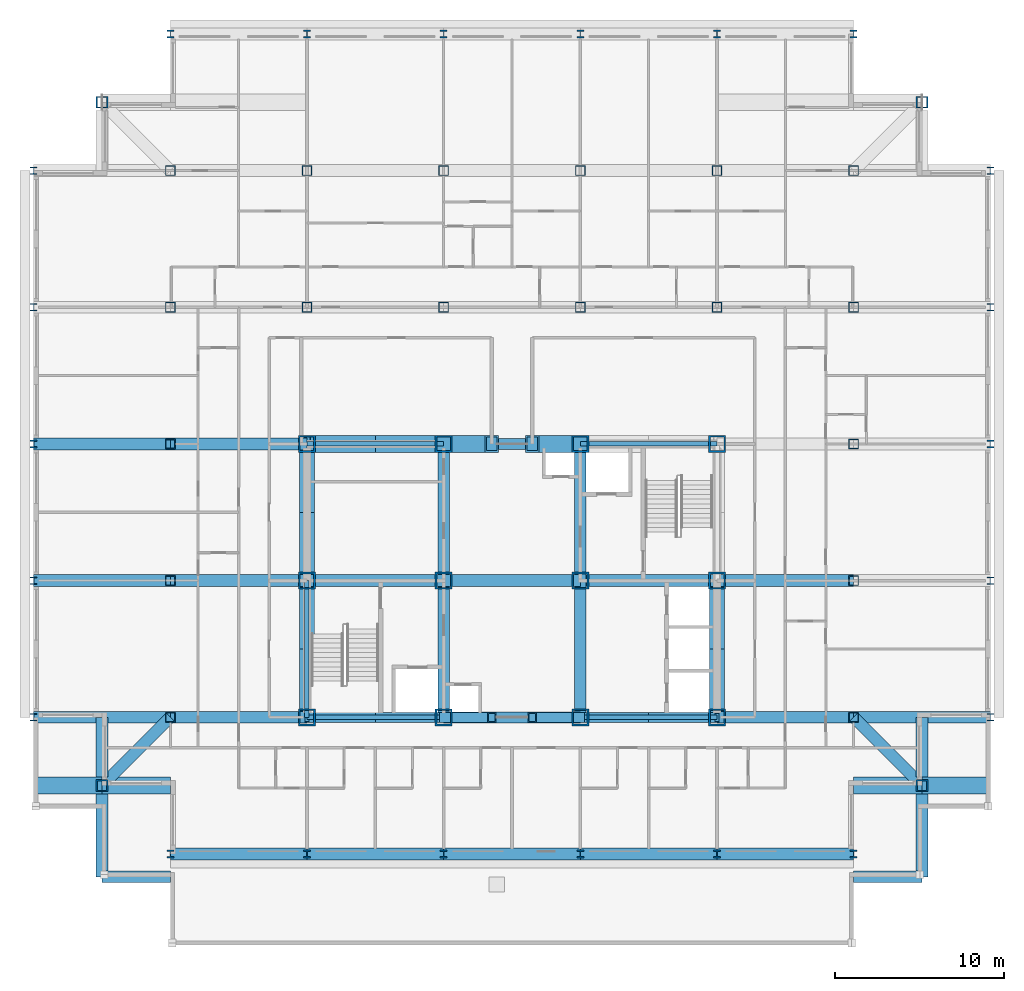
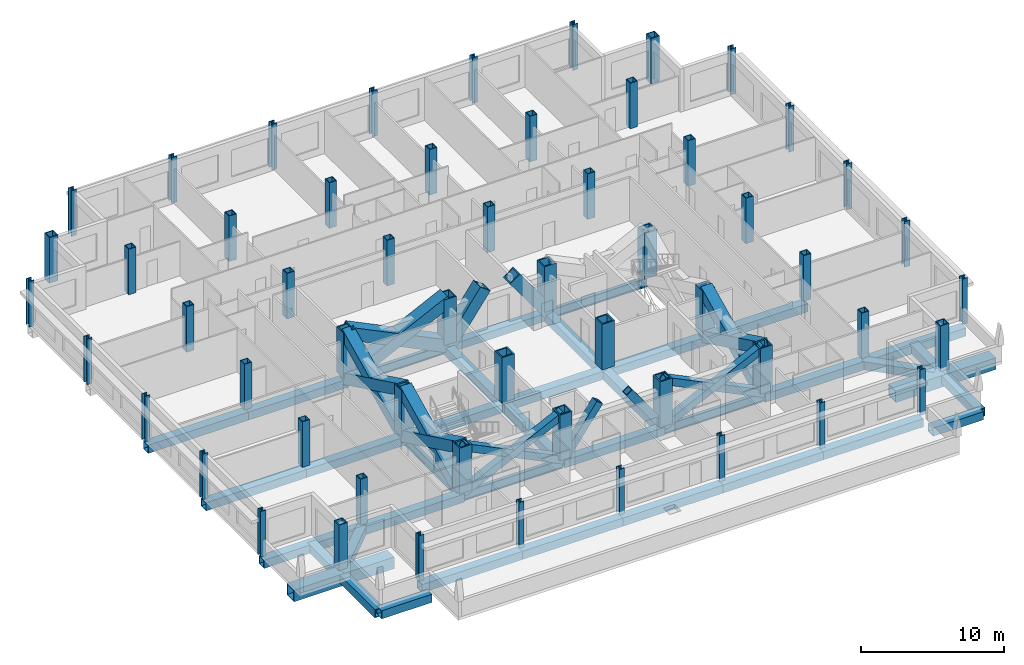
# One storey, part 1 of 15: 56 columns, 40 beams, 16 members.
"""IFC4 building model written with IfcOpenShell, lengths in metres."""

from ifc_helpers import new_model, si_unit, direction, frame, origin, origin_2d, place, context, subcontext, project, spatial, hollow_rectangle, i_section, extrude, material, material_profile, profile_set, type_object, element, save


model = new_model("IFC4")

# Units and contexts
model_context = context("Model", 3, precision=1e-05, world=origin(), true_north=direction((0.0, 1.0)))
body_context = subcontext(model_context, "Body", "Model", "MODEL_VIEW")
ifc_project = project(units=[si_unit("LENGTHUNIT", "METRE"), si_unit("AREAUNIT", "SQUARE_METRE"), si_unit("VOLUMEUNIT", "CUBIC_METRE"), si_unit("PLANEANGLEUNIT", "RADIAN"), si_unit("MASSUNIT", "GRAM", prefix="KILO")], contexts=[model_context])

# Site, building, storey
site_placement = place(None, origin())
site = spatial("IfcSite", under=ifc_project, at=site_placement, CompositionType="ELEMENT")
building_placement = place(site_placement, origin())
building = spatial("IfcBuilding", under=site, at=building_placement, Name="Kopane Lantern Tower", CompositionType="ELEMENT")
storey_placement = place(building_placement, frame((0.0, 0.0, 242.39990234375)))
storey = spatial("IfcBuildingStorey", under=building, at=storey_placement, Name="L62", CompositionType="ELEMENT", Elevation=242.39990234375)

# Columns
ifc_material_1 = material(Name="Steel S355JR", Category="steel")
ifc_material_profile_1 = material_profile(ifc_material_1, hollow_rectangle(XDim=1.0, YDim=1.0, WallThickness=0.10009765625, at=origin_2d()), Name="BOX 1000x1000x100")
ifc_profile_set_1 = profile_set([ifc_material_profile_1], Name="Steel S355JR")
column_type_1 = type_object("IfcColumnType", Name="COLUMN BOX 1000x1000x100", PredefinedType="COLUMN", material=ifc_profile_set_1)
for number, where, z_axis, x_axis, name in (
    (1, (16.199951171875, 24.300048828125, 0.0), (0.0, 0.0, 1.0), (1.0, 0.0, 0.0), "Column 4/E L62"),
    (2, (16.199951171875, 32.39990234375, 0.0), (0.0, 0.0, 1.0), (1.0, 0.0, 0.0), "Column 4/F L62"),
    (3, (16.199951171875, 40.5, 0.0), (0.0, 0.0, 1.0), (1.0, 0.0, 0.0), "Column 4/G L62"),
    (4, (24.300048828125, 24.300048828125, 0.0), (0.0, 0.0, 1.0), (1.0, 0.0, 0.0), "Column 5/E L62"),
    (5, (24.300048828125, 32.39990234375, 0.0), (0.0, 0.0, 1.0), (1.0, 0.0, 0.0), "Column 5/F L62"),
    (6, (24.300048828125, 40.5, 0.0), (0.0, 0.0, 1.0), (1.0, 0.0, 0.0), "Column 5/G L62"),
    (7, (32.39990234375, 24.300048828125, 0.0), (0.0, 0.0, 1.0), (1.0, 0.0, 0.0), "Column 6/E L62"),
    (8, (32.39990234375, 32.39990234375, 0.0), (0.0, 0.0, 1.0), (1.0, 0.0, 0.0), "Column 6/F L62"),
    (9, (32.39990234375, 40.5, 0.0), (0.0, 0.0, 1.0), (1.0, 0.0, 0.0), "Column 6/G L62"),
    (10, (40.5, 24.300048828125, 0.0), (0.0, 0.0, 1.0), (1.0, 0.0, 0.0), "Column 7/E L62"),
    (11, (40.5, 32.39990234375, 0.0), (0.0, 0.0, 1.0), (1.0, 0.0, 0.0), "Column 7/F L62"),
    (12, (40.5, 40.5, 0.0), (0.0, 0.0, 1.0), (1.0, 0.0, 0.0), "Column 7/G L62"),
):
    element("IfcColumn", number, at=place(storey_placement, frame(where, z_axis=z_axis, x_axis=x_axis)), inside=storey, type_object=column_type_1, Name=name, PredefinedType="COLUMN", context=body_context, shape_type="SweptSolid", body=[
        extrude(hollow_rectangle(XDim=1.0, YDim=1.0, WallThickness=0.10009765625, at=origin_2d()), origin(), (0.0, 0.0, 1.0), 3.900146484375),
    ])
ifc_material_2 = material(Name="Steel S355JR", Category="steel")
ifc_material_profile_2 = material_profile(ifc_material_2, hollow_rectangle(XDim=0.60009765625, YDim=0.60009765625, WallThickness=0.050048828125, at=origin_2d()), Name="BOX 600x600x50")
ifc_profile_set_2 = profile_set([ifc_material_profile_2], Name="Steel S355JR")
column_type_2 = type_object("IfcColumnType", Name="COLUMN BOX 600x600x50", PredefinedType="COLUMN", material=ifc_profile_set_2)
for number, where, z_axis, x_axis, name in (
    (13, (8.10009765625, 24.300048828125, 0.0), (0.0, 0.0, 1.0), (1.0, 0.0, 0.0), "Column 3/E L62"),
    (14, (8.10009765625, 32.39990234375, 0.0), (0.0, 0.0, 1.0), (1.0, 0.0, 0.0), "Column 3/F L62"),
    (15, (8.10009765625, 40.5, 0.0), (0.0, 0.0, 1.0), (1.0, 0.0, 0.0), "Column 3/G L62"),
    (16, (8.10009765625, 48.60009765625, 0.0), (0.0, 0.0, 1.0), (1.0, 0.0, 0.0), "Column 3/H L62"),
    (17, (8.10009765625, 56.699951171875, 0.0), (0.0, 0.0, 1.0), (1.0, 0.0, 0.0), "Column 3/J L62"),
    (18, (16.199951171875, 48.60009765625, 0.0), (0.0, 0.0, 1.0), (1.0, 0.0, 0.0), "Column 4/H L62"),
    (19, (16.199951171875, 56.699951171875, 0.0), (0.0, 0.0, 1.0), (1.0, 0.0, 0.0), "Column 4/J L62"),
    (20, (24.300048828125, 48.60009765625, 0.0), (0.0, 0.0, 1.0), (1.0, 0.0, 0.0), "Column 5/H L62"),
    (21, (24.300048828125, 56.699951171875, 0.0), (0.0, 0.0, 1.0), (1.0, 0.0, 0.0), "Column 5/J L62"),
    (22, (32.39990234375, 48.60009765625, 0.0), (0.0, 0.0, 1.0), (1.0, 0.0, 0.0), "Column 6/H L62"),
    (23, (32.39990234375, 56.699951171875, 0.0), (0.0, 0.0, 1.0), (1.0, 0.0, 0.0), "Column 6/J L62"),
    (24, (40.5, 48.60009765625, 0.0), (0.0, 0.0, 1.0), (1.0, 0.0, 0.0), "Column 7/H L62"),
    (25, (40.5, 56.699951171875, 0.0), (0.0, 0.0, 1.0), (1.0, 0.0, 0.0), "Column 7/J L62"),
    (26, (48.60009765625, 24.300048828125, 0.0), (0.0, 0.0, 1.0), (1.0, 0.0, 0.0), "Column 8/E L62"),
    (27, (48.60009765625, 32.39990234375, 0.0), (0.0, 0.0, 1.0), (1.0, 0.0, 0.0), "Column 8/F L62"),
    (28, (48.60009765625, 40.5, 0.0), (0.0, 0.0, 1.0), (1.0, 0.0, 0.0), "Column 8/G L62"),
    (29, (48.60009765625, 48.60009765625, 0.0), (0.0, 0.0, 1.0), (1.0, 0.0, 0.0), "Column 8/H L62"),
    (30, (48.60009765625, 56.699951171875, 0.0), (0.0, 0.0, 1.0), (1.0, 0.0, 0.0), "Column 8/J L62"),
):
    element("IfcColumn", number, at=place(storey_placement, frame(where, z_axis=z_axis, x_axis=x_axis)), inside=storey, type_object=column_type_2, Name=name, PredefinedType="COLUMN", context=body_context, shape_type="SweptSolid", body=[
        extrude(hollow_rectangle(XDim=0.60009765625, YDim=0.60009765625, WallThickness=0.050048828125, at=origin_2d()), origin(), (0.0, 0.0, 1.0), 3.900146484375),
    ])
ifc_material_3 = material(Name="Steel S355JR", Category="steel")
ifc_material_profile_3 = material_profile(ifc_material_3, hollow_rectangle(XDim=0.699951171875, YDim=0.699951171875, WallThickness=0.070068359375, at=origin_2d()), Name="BOX 700x700x70")
ifc_profile_set_3 = profile_set([ifc_material_profile_3], Name="Steel S355JR")
column_type_3 = type_object("IfcColumnType", Name="COLUMN BOX 700x700x70", PredefinedType="COLUMN", material=ifc_profile_set_3)
for number, where, z_axis, x_axis, name in (
    (31, (4.050048828125, 20.25, 0.0), (0.0, 0.0, 1.0), (1.0, 0.0, 0.0), "Column 4.05/20.25 L62"),
    (32, (4.050048828125, 60.75, 0.0), (0.0, 0.0, 1.0), (1.0, 0.0, 0.0), "Column 4.05/60.75 L62"),
    (33, (52.64990234375, 20.25, 0.0), (0.0, 0.0, 1.0), (1.0, 0.0, 0.0), "Column 52.65/20.25 L62"),
    (34, (52.64990234375, 60.75, 0.0), (0.0, 0.0, 1.0), (1.0, 0.0, 0.0), "Column 52.65/60.75 L62"),
):
    element("IfcColumn", number, at=place(storey_placement, frame(where, z_axis=z_axis, x_axis=x_axis)), inside=storey, type_object=column_type_3, Name=name, PredefinedType="COLUMN", context=body_context, shape_type="SweptSolid", body=[
        extrude(hollow_rectangle(XDim=0.699951171875, YDim=0.699951171875, WallThickness=0.070068359375, at=origin_2d()), origin(), (0.0, 0.0, 1.0), 3.900146484375),
    ])
ifc_material_4 = material(Name="Steel S355JR", Category="steel")
ifc_material_profile_4 = material_profile(ifc_material_4, i_section(OverallWidth=0.41845703125, OverallDepth=0.45556640625, WebThickness=0.0419921875, FlangeThickness=0.0673828125, FilletRadius=0.01513671875, at=origin_2d()), Name="UC 356x406x551")
ifc_profile_set_4 = profile_set([ifc_material_profile_4], Name="Steel S355JR")
column_type_4 = type_object("IfcColumnType", Name="COLUMN UC 356x406x551", PredefinedType="COLUMN", material=ifc_profile_set_4)
for number, where, z_axis, x_axis, name in (
    (35, (0.0, 24.300048828125, 0.0), (0.0, 0.0, 1.0), (1.0, 0.0, 0.0), "Column 2/E L62"),
    (36, (0.0, 32.39990234375, 0.0), (0.0, 0.0, 1.0), (1.0, 0.0, 0.0), "Column 2/F L62"),
    (37, (0.0, 40.5, 0.0), (0.0, 0.0, 1.0), (1.0, 0.0, 0.0), "Column 2/G L62"),
    (38, (0.0, 48.60009765625, 0.0), (0.0, 0.0, 1.0), (1.0, 0.0, 0.0), "Column 2/H L62"),
    (39, (0.0, 56.699951171875, 0.0), (0.0, 0.0, 1.0), (1.0, 0.0, 0.0), "Column 2/J L62"),
    (40, (8.10009765625, 16.199951171875, 0.0), (0.0, 0.0, 1.0), (1.0, 0.0, 0.0), "Column 3/D L62"),
    (41, (8.10009765625, 64.800048828125, 0.0), (0.0, 0.0, 1.0), (1.0, 0.0, 0.0), "Column 3/K L62"),
    (42, (16.199951171875, 16.199951171875, 0.0), (0.0, 0.0, 1.0), (1.0, 0.0, 0.0), "Column 4/D L62"),
    (43, (16.199951171875, 64.800048828125, 0.0), (0.0, 0.0, 1.0), (1.0, 0.0, 0.0), "Column 4/K L62"),
    (44, (24.300048828125, 16.199951171875, 0.0), (0.0, 0.0, 1.0), (1.0, 0.0, 0.0), "Column 5/D L62"),
    (45, (24.300048828125, 64.800048828125, 0.0), (0.0, 0.0, 1.0), (1.0, 0.0, 0.0), "Column 5/K L62"),
    (46, (32.39990234375, 16.199951171875, 0.0), (0.0, 0.0, 1.0), (1.0, 0.0, 0.0), "Column 6/D L62"),
    (47, (32.39990234375, 64.800048828125, 0.0), (0.0, 0.0, 1.0), (1.0, 0.0, 0.0), "Column 6/K L62"),
    (48, (40.5, 16.199951171875, 0.0), (0.0, 0.0, 1.0), (1.0, 0.0, 0.0), "Column 7/D L62"),
    (49, (40.5, 64.800048828125, 0.0), (0.0, 0.0, 1.0), (1.0, 0.0, 0.0), "Column 7/K L62"),
    (50, (48.60009765625, 16.199951171875, 0.0), (0.0, 0.0, 1.0), (1.0, 0.0, 0.0), "Column 8/D L62"),
    (51, (48.60009765625, 64.800048828125, 0.0), (0.0, 0.0, 1.0), (1.0, 0.0, 0.0), "Column 8/K L62"),
    (52, (56.699951171875, 24.300048828125, 0.0), (0.0, 0.0, 1.0), (1.0, 0.0, 0.0), "Column 9/E L62"),
    (53, (56.699951171875, 32.39990234375, 0.0), (0.0, 0.0, 1.0), (1.0, 0.0, 0.0), "Column 9/F L62"),
    (54, (56.699951171875, 40.5, 0.0), (0.0, 0.0, 1.0), (1.0, 0.0, 0.0), "Column 9/G L62"),
    (55, (56.699951171875, 48.60009765625, 0.0), (0.0, 0.0, 1.0), (1.0, 0.0, 0.0), "Column 9/H L62"),
    (56, (56.699951171875, 56.699951171875, 0.0), (0.0, 0.0, 1.0), (1.0, 0.0, 0.0), "Column 9/J L62"),
):
    element("IfcColumn", number, at=place(storey_placement, frame(where, z_axis=z_axis, x_axis=x_axis)), inside=storey, type_object=column_type_4, Name=name, PredefinedType="COLUMN", context=body_context, shape_type="SweptSolid", body=[
        extrude(i_section(OverallWidth=0.41845703125, OverallDepth=0.45556640625, WebThickness=0.0419921875, FlangeThickness=0.0673828125, FilletRadius=0.01513671875, at=origin_2d()), origin(), (0.0, 0.0, 1.0), 3.900146484375),
    ])

# Members
ifc_material_5 = material(Name="Steel S355JR", Category="steel")
ifc_material_profile_5 = material_profile(ifc_material_5, hollow_rectangle(XDim=1.0, YDim=1.0, WallThickness=0.10009765625, at=origin_2d()), Name="BOX 1000x1000x100")
ifc_profile_set_5 = profile_set([ifc_material_profile_5], Name="Steel S355JR")
member_type_1 = type_object("IfcMemberType", Name="BRACE BOX 1000x1000x100", PredefinedType="BRACE", material=ifc_profile_set_5)
for number, where, z_axis, x_axis, name in (
    (57, (16.199951171875, 40.5, -0.25), (0.899252666322, 0.0, 0.43742958532), (0.0, 1.0, 0.0), "Core brace L62"),
    (58, (24.300048828125, 40.5, -0.25), (-0.899252666322, 0.0, 0.43742958532), (0.0, -1.0, 0.0), "Core brace L62"),
):
    element("IfcMember", number, at=place(storey_placement, frame(where, z_axis=z_axis, x_axis=x_axis)), inside=storey, type_object=member_type_1, Name=name, PredefinedType="BRACE", context=body_context, shape_type="SweptSolid", body=[
        extrude(hollow_rectangle(XDim=1.0, YDim=1.0, WallThickness=0.10009765625, at=origin_2d()), origin(), (0.0, 0.0, 1.0), 9.007568359375),
    ])
for number, where, z_axis, x_axis, name in (
    (59, (24.300048828125, 40.5, -0.25), (0.586053166649, 0.0, 0.810272599722), (0.0, 1.0, 0.0), "Core brace L62"),
    (60, (32.39990234375, 40.5, -0.25), (-0.586053166649, 0.0, 0.810272599722), (0.0, -1.0, 0.0), "Core brace L62"),
):
    element("IfcMember", number, at=place(storey_placement, frame(where, z_axis=z_axis, x_axis=x_axis)), inside=storey, type_object=member_type_1, Name=name, PredefinedType="BRACE", context=body_context, shape_type="SweptSolid", body=[
        extrude(hollow_rectangle(XDim=1.0, YDim=1.0, WallThickness=0.10009765625, at=origin_2d()), origin(), (0.0, 0.0, 1.0), 4.86279296875),
    ])
ifc_material_6 = material(Name="Steel S355JR", Category="steel")
ifc_material_profile_6 = material_profile(ifc_material_6, hollow_rectangle(XDim=0.60009765625, YDim=0.60009765625, WallThickness=0.06005859375, at=origin_2d()), Name="BOX 600x600x60")
ifc_profile_set_6 = profile_set([ifc_material_profile_6], Name="Steel S355JR")
member_type_2 = type_object("IfcMemberType", Name="BRACE BOX 600x600x60", PredefinedType="BRACE", material=ifc_profile_set_6)
for number, where, z_axis, x_axis, name in (
    (61, (16.199951171875, 24.300048828125, -0.25), (0.899252666322, 0.0, 0.43742958532), (0.0, 1.0, 0.0), "Core brace L62"),
    (62, (24.300048828125, 24.300048828125, -0.25), (-0.899252666322, 0.0, 0.43742958532), (0.0, -1.0, 0.0), "Core brace L62"),
):
    element("IfcMember", number, at=place(storey_placement, frame(where, z_axis=z_axis, x_axis=x_axis)), inside=storey, type_object=member_type_2, Name=name, PredefinedType="BRACE", context=body_context, shape_type="SweptSolid", body=[
        extrude(hollow_rectangle(XDim=0.60009765625, YDim=0.60009765625, WallThickness=0.06005859375, at=origin_2d()), origin(), (0.0, 0.0, 1.0), 9.007568359375),
    ])
for number, where, z_axis, x_axis, name in (
    (63, (24.300048828125, 24.300048828125, -0.25), (0.586053166649, 0.0, 0.810272599722), (0.0, 1.0, 0.0), "Core brace L62"),
    (64, (32.39990234375, 24.300048828125, -0.25), (-0.586053166649, 0.0, 0.810272599722), (0.0, -1.0, 0.0), "Core brace L62"),
):
    element("IfcMember", number, at=place(storey_placement, frame(where, z_axis=z_axis, x_axis=x_axis)), inside=storey, type_object=member_type_2, Name=name, PredefinedType="BRACE", context=body_context, shape_type="SweptSolid", body=[
        extrude(hollow_rectangle(XDim=0.60009765625, YDim=0.60009765625, WallThickness=0.06005859375, at=origin_2d()), origin(), (0.0, 0.0, 1.0), 4.86279296875),
    ])
for number, where, z_axis, x_axis, name in (
    (65, (32.39990234375, 24.300048828125, -0.25), (0.899252666322, 0.0, 0.43742958532), (0.0, 1.0, 0.0), "Core brace L62"),
    (66, (40.5, 24.300048828125, -0.25), (-0.899252666322, 0.0, 0.43742958532), (0.0, -1.0, 0.0), "Core brace L62"),
):
    element("IfcMember", number, at=place(storey_placement, frame(where, z_axis=z_axis, x_axis=x_axis)), inside=storey, type_object=member_type_2, Name=name, PredefinedType="BRACE", context=body_context, shape_type="SweptSolid", body=[
        extrude(hollow_rectangle(XDim=0.60009765625, YDim=0.60009765625, WallThickness=0.06005859375, at=origin_2d()), origin(), (0.0, 0.0, 1.0), 9.007568359375),
    ])
ifc_material_7 = material(Name="Steel S355JR", Category="steel")
ifc_material_profile_7 = material_profile(ifc_material_7, hollow_rectangle(XDim=0.89990234375, YDim=0.89990234375, WallThickness=0.090087890625, at=origin_2d()), Name="BOX 900x900x90")
ifc_profile_set_7 = profile_set([ifc_material_profile_7], Name="Steel S355JR")
member_type_3 = type_object("IfcMemberType", Name="BRACE BOX 900x900x90", PredefinedType="BRACE", material=ifc_profile_set_7)
for number, where, z_axis, x_axis, name in (
    (67, (16.199951171875, 24.300048828125, -0.25), (0.0, 0.899247479949, 0.437440247126), (-1.0, 0.0, 0.0), "Core brace L62"),
    (68, (16.199951171875, 32.39990234375, -0.25), (0.0, -0.899247479949, 0.437440247126), (1.0, 0.0, 0.0), "Core brace L62"),
):
    element("IfcMember", number, at=place(storey_placement, frame(where, z_axis=z_axis, x_axis=x_axis)), inside=storey, type_object=member_type_3, Name=name, PredefinedType="BRACE", context=body_context, shape_type="SweptSolid", body=[
        extrude(hollow_rectangle(XDim=0.89990234375, YDim=0.89990234375, WallThickness=0.090087890625, at=origin_2d()), origin(), (0.0, 0.0, 1.0), 9.00732421875),
    ])
for number, where, z_axis, x_axis, name in (
    (69, (16.199951171875, 32.39990234375, -0.25), (0.0, 0.899252666322, 0.43742958532), (-1.0, 0.0, 0.0), "Core brace L62"),
    (70, (16.199951171875, 40.5, -0.25), (0.0, -0.899252666322, 0.43742958532), (1.0, 0.0, 0.0), "Core brace L62"),
):
    element("IfcMember", number, at=place(storey_placement, frame(where, z_axis=z_axis, x_axis=x_axis)), inside=storey, type_object=member_type_3, Name=name, PredefinedType="BRACE", context=body_context, shape_type="SweptSolid", body=[
        extrude(hollow_rectangle(XDim=0.89990234375, YDim=0.89990234375, WallThickness=0.090087890625, at=origin_2d()), origin(), (0.0, 0.0, 1.0), 9.007568359375),
    ])
for number, where, z_axis, x_axis, name in (
    (71, (40.5, 24.300048828125, -0.25), (0.0, 0.899247479949, 0.437440247126), (-1.0, 0.0, 0.0), "Core brace L62"),
    (72, (40.5, 32.39990234375, -0.25), (0.0, -0.899247479949, 0.437440247126), (1.0, 0.0, 0.0), "Core brace L62"),
):
    element("IfcMember", number, at=place(storey_placement, frame(where, z_axis=z_axis, x_axis=x_axis)), inside=storey, type_object=member_type_3, Name=name, PredefinedType="BRACE", context=body_context, shape_type="SweptSolid", body=[
        extrude(hollow_rectangle(XDim=0.89990234375, YDim=0.89990234375, WallThickness=0.090087890625, at=origin_2d()), origin(), (0.0, 0.0, 1.0), 9.00732421875),
    ])

# Beams
ifc_material_8 = material(Name="Steel S355JR", Category="steel")
ifc_material_profile_8 = material_profile(ifc_material_8, hollow_rectangle(XDim=0.699951171875, YDim=0.699951171875, WallThickness=0.06005859375, at=origin_2d()), Name="BOX 700x700x60")
ifc_profile_set_8 = profile_set([ifc_material_profile_8], Name="Steel S355JR")
beam_type_1 = type_object("IfcBeamType", Name="CORE BEAM BOX 700x700x60", PredefinedType="BEAM", material=ifc_profile_set_8)
beam_1_placement = place(storey_placement, frame((16.199951171875, 32.39990234375, -0.599853515625), z_axis=(1.0, 0.0, 0.0), x_axis=(0.0, 1.0, 0.0)))
element("IfcBeam", 73, at=beam_1_placement, inside=storey, type_object=beam_type_1, Name="Core Beam L62", PredefinedType="BEAM", context=body_context, shape_type="SweptSolid", body=[
    extrude(hollow_rectangle(XDim=0.699951171875, YDim=0.699951171875, WallThickness=0.06005859375, at=origin_2d()), origin(), (0.0, 0.0, 1.0), 8.10009765625),
])
beam_2_placement = place(storey_placement, frame((24.300048828125, 24.300048828125, -0.599853515625), z_axis=(0.0, 1.0, 0.0), x_axis=(-1.0, 0.0, 0.0)))
element("IfcBeam", 74, at=beam_2_placement, inside=storey, type_object=beam_type_1, Name="Core Beam L62", PredefinedType="BEAM", context=body_context, shape_type="SweptSolid", body=[
    extrude(hollow_rectangle(XDim=0.699951171875, YDim=0.699951171875, WallThickness=0.06005859375, at=origin_2d()), origin(), (0.0, 0.0, 1.0), 8.099853515625),
])
beam_3_placement = place(storey_placement, frame((24.300048828125, 32.39990234375, -0.599853515625), z_axis=(0.0, 1.0, 0.0), x_axis=(-1.0, 0.0, 0.0)))
element("IfcBeam", 75, at=beam_3_placement, inside=storey, type_object=beam_type_1, Name="Core Beam L62", PredefinedType="BEAM", context=body_context, shape_type="SweptSolid", body=[
    extrude(hollow_rectangle(XDim=0.699951171875, YDim=0.699951171875, WallThickness=0.06005859375, at=origin_2d()), origin(), (0.0, 0.0, 1.0), 8.10009765625),
])
for number, where, z_axis, x_axis, name in (
    (76, (24.300048828125, 32.39990234375, -0.599853515625), (1.0, 0.0, 0.0), (0.0, 1.0, 0.0), "Core Beam L62"),
    (77, (32.39990234375, 24.300048828125, -0.599853515625), (0.0, 1.0, 0.0), (-1.0, 0.0, 0.0), "Core Beam L62"),
):
    element("IfcBeam", number, at=place(storey_placement, frame(where, z_axis=z_axis, x_axis=x_axis)), inside=storey, type_object=beam_type_1, Name=name, PredefinedType="BEAM", context=body_context, shape_type="SweptSolid", body=[
        extrude(hollow_rectangle(XDim=0.699951171875, YDim=0.699951171875, WallThickness=0.06005859375, at=origin_2d()), origin(), (0.0, 0.0, 1.0), 8.099853515625),
    ])
for number, where, z_axis, x_axis, name in (
    (78, (32.39990234375, 32.39990234375, -0.599853515625), (0.0, 1.0, 0.0), (-1.0, 0.0, 0.0), "Core Beam L62"),
    (79, (32.39990234375, 32.39990234375, -0.599853515625), (1.0, 0.0, 0.0), (0.0, 1.0, 0.0), "Core Beam L62"),
):
    element("IfcBeam", number, at=place(storey_placement, frame(where, z_axis=z_axis, x_axis=x_axis)), inside=storey, type_object=beam_type_1, Name=name, PredefinedType="BEAM", context=body_context, shape_type="SweptSolid", body=[
        extrude(hollow_rectangle(XDim=0.699951171875, YDim=0.699951171875, WallThickness=0.06005859375, at=origin_2d()), origin(), (0.0, 0.0, 1.0), 8.10009765625),
    ])
ifc_material_9 = material(Name="Steel S355JR", Category="steel")
ifc_material_profile_9 = material_profile(ifc_material_9, hollow_rectangle(XDim=0.699951171875, YDim=0.699951171875, WallThickness=0.06005859375, at=origin_2d()), Name="BOX 700x700x60")
ifc_profile_set_9 = profile_set([ifc_material_profile_9], Name="Steel S355JR")
beam_type_2 = type_object("IfcBeamType", Name="CORNER TIE BEAM BOX 700x700x60", PredefinedType="BEAM", material=ifc_profile_set_9)
beam_4_placement = place(storey_placement, frame((4.403564453125, 20.603515625, -0.599853515625), z_axis=(0.707106781187, 0.707106781187, 0.0), x_axis=(-0.707106781187, 0.707106781187, 0.0)))
element("IfcBeam", 80, at=beam_4_placement, inside=storey, type_object=beam_type_2, Name="Corner Tie Beam L62", PredefinedType="BEAM", context=body_context, shape_type="SweptSolid", body=[
    extrude(hollow_rectangle(XDim=0.699951171875, YDim=0.699951171875, WallThickness=0.06005859375, at=origin_2d()), origin(), (0.0, 0.0, 1.0), 5.227783203125),
])
beam_5_placement = place(storey_placement, frame((52.29638671875, 20.603515625, -0.599853515625), z_axis=(-0.707083429301, 0.707130132301, 0.0), x_axis=(-0.707130132301, -0.707083429301, 0.0)))
element("IfcBeam", 81, at=beam_5_placement, inside=storey, type_object=beam_type_2, Name="Corner Tie Beam L62", PredefinedType="BEAM", context=body_context, shape_type="SweptSolid", body=[
    extrude(hollow_rectangle(XDim=0.699951171875, YDim=0.699951171875, WallThickness=0.06005859375, at=origin_2d()), origin(), (0.0, 0.0, 1.0), 5.2275390625),
])
ifc_material_10 = material(Name="Steel S355JR", Category="steel")
ifc_material_profile_10 = material_profile(ifc_material_10, hollow_rectangle(XDim=0.699951171875, YDim=0.699951171875, WallThickness=0.06005859375, at=origin_2d()), Name="BOX 700x700x60")
ifc_profile_set_10 = profile_set([ifc_material_profile_10], Name="Steel S355JR")
beam_type_3 = type_object("IfcBeamType", Name="EDGE BEAM BOX 700x700x60", PredefinedType="BEAM", material=ifc_profile_set_10)
beam_6_placement = place(storey_placement, frame((4.050048828125, 14.85009765625, -0.599853515625), z_axis=(1.0, 0.0, 0.0), x_axis=(0.0, 1.0, 0.0)))
element("IfcBeam", 82, at=beam_6_placement, inside=storey, type_object=beam_type_3, Name="Edge Beam L62", PredefinedType="BEAM", context=body_context, shape_type="SweptSolid", body=[
    extrude(hollow_rectangle(XDim=0.699951171875, YDim=0.699951171875, WallThickness=0.06005859375, at=origin_2d()), origin(), (0.0, 0.0, 1.0), 4.050048828125),
])
beam_7_placement = place(storey_placement, frame((4.050048828125, 20.75, -0.599853515625), z_axis=(0.0, 1.0, 0.0), x_axis=(-1.0, 0.0, 0.0)))
element("IfcBeam", 83, at=beam_7_placement, inside=storey, type_object=beam_type_3, Name="Edge Beam L62", PredefinedType="BEAM", context=body_context, shape_type="SweptSolid", body=[
    extrude(hollow_rectangle(XDim=0.699951171875, YDim=0.699951171875, WallThickness=0.06005859375, at=origin_2d()), origin(), (0.0, 0.0, 1.0), 3.550048828125),
])
beam_8_placement = place(storey_placement, frame((52.64990234375, 14.85009765625, -0.599853515625), z_axis=(-1.0, 0.0, 0.0), x_axis=(0.0, -1.0, 0.0)))
element("IfcBeam", 84, at=beam_8_placement, inside=storey, type_object=beam_type_3, Name="Edge Beam L62", PredefinedType="BEAM", context=body_context, shape_type="SweptSolid", body=[
    extrude(hollow_rectangle(XDim=0.699951171875, YDim=0.699951171875, WallThickness=0.06005859375, at=origin_2d()), origin(), (0.0, 0.0, 1.0), 4.0498046875),
])
beam_9_placement = place(storey_placement, frame((52.64990234375, 20.75, -0.599853515625), z_axis=(0.0, 1.0, 0.0), x_axis=(-1.0, 0.0, 0.0)))
element("IfcBeam", 85, at=beam_9_placement, inside=storey, type_object=beam_type_3, Name="Edge Beam L62", PredefinedType="BEAM", context=body_context, shape_type="SweptSolid", body=[
    extrude(hollow_rectangle(XDim=0.699951171875, YDim=0.699951171875, WallThickness=0.06005859375, at=origin_2d()), origin(), (0.0, 0.0, 1.0), 3.550048828125),
])
ifc_material_11 = material(Name="Steel S355JR", Category="steel")
ifc_material_profile_11 = material_profile(ifc_material_11, hollow_rectangle(XDim=0.699951171875, YDim=0.699951171875, WallThickness=0.06005859375, at=origin_2d()), Name="BOX 700x700x60")
ifc_profile_set_11 = profile_set([ifc_material_profile_11], Name="Steel S355JR")
beam_type_4 = type_object("IfcBeamType", Name="GIRDER BOX 700x700x60", PredefinedType="BEAM", material=ifc_profile_set_11)
for number, where, z_axis, x_axis, name in (
    (86, (0.0, 24.300048828125, -0.599853515625), (1.0, 0.0, 0.0), (0.0, 1.0, 0.0), "Girder L62"),
    (87, (0.0, 32.39990234375, -0.599853515625), (1.0, 0.0, 0.0), (0.0, 1.0, 0.0), "Girder L62"),
    (88, (0.0, 40.5, -0.599853515625), (1.0, 0.0, 0.0), (0.0, 1.0, 0.0), "Girder L62"),
):
    element("IfcBeam", number, at=place(storey_placement, frame(where, z_axis=z_axis, x_axis=x_axis)), inside=storey, type_object=beam_type_4, Name=name, PredefinedType="BEAM", context=body_context, shape_type="SweptSolid", body=[
        extrude(hollow_rectangle(XDim=0.699951171875, YDim=0.699951171875, WallThickness=0.06005859375, at=origin_2d()), origin(), (0.0, 0.0, 1.0), 8.10009765625),
    ])
beam_10_placement = place(storey_placement, frame((4.050048828125, 14.85009765625, -0.599853515625), z_axis=(0.0, 1.0, 0.0), x_axis=(-1.0, 0.0, 0.0)))
element("IfcBeam", 89, at=beam_10_placement, inside=storey, type_object=beam_type_4, Name="Girder L62", PredefinedType="BEAM", context=body_context, shape_type="SweptSolid", body=[
    extrude(hollow_rectangle(XDim=0.699951171875, YDim=0.699951171875, WallThickness=0.06005859375, at=origin_2d()), origin(), (0.0, 0.0, 1.0), 4.89990234375),
])
for number, where, z_axis, x_axis, name in (
    (90, (8.10009765625, 16.199951171875, -0.599853515625), (1.0, 0.0, 0.0), (0.0, 1.0, 0.0), "Girder L62"),
    (91, (8.10009765625, 24.300048828125, -0.599853515625), (1.0, 0.0, 0.0), (0.0, 1.0, 0.0), "Girder L62"),
    (92, (8.10009765625, 32.39990234375, -0.599853515625), (1.0, 0.0, 0.0), (0.0, 1.0, 0.0), "Girder L62"),
    (93, (8.10009765625, 40.5, -0.599853515625), (1.0, 0.0, 0.0), (0.0, 1.0, 0.0), "Girder L62"),
):
    element("IfcBeam", number, at=place(storey_placement, frame(where, z_axis=z_axis, x_axis=x_axis)), inside=storey, type_object=beam_type_4, Name=name, PredefinedType="BEAM", context=body_context, shape_type="SweptSolid", body=[
        extrude(hollow_rectangle(XDim=0.699951171875, YDim=0.699951171875, WallThickness=0.06005859375, at=origin_2d()), origin(), (0.0, 0.0, 1.0), 8.099853515625),
    ])
beam_11_placement = place(storey_placement, frame((16.199951171875, 16.199951171875, -0.599853515625), z_axis=(1.0, 0.0, 0.0), x_axis=(0.0, 1.0, 0.0)))
element("IfcBeam", 94, at=beam_11_placement, inside=storey, type_object=beam_type_4, Name="Girder L62", PredefinedType="BEAM", context=body_context, shape_type="SweptSolid", body=[
    extrude(hollow_rectangle(XDim=0.699951171875, YDim=0.699951171875, WallThickness=0.06005859375, at=origin_2d()), origin(), (0.0, 0.0, 1.0), 8.10009765625),
])
beam_12_placement = place(storey_placement, frame((24.300048828125, 16.199951171875, -0.599853515625), z_axis=(1.0, 0.0, 0.0), x_axis=(0.0, 1.0, 0.0)))
element("IfcBeam", 95, at=beam_12_placement, inside=storey, type_object=beam_type_4, Name="Girder L62", PredefinedType="BEAM", context=body_context, shape_type="SweptSolid", body=[
    extrude(hollow_rectangle(XDim=0.699951171875, YDim=0.699951171875, WallThickness=0.06005859375, at=origin_2d()), origin(), (0.0, 0.0, 1.0), 8.099853515625),
])
for number, where, z_axis, x_axis, name in (
    (96, (32.39990234375, 16.199951171875, -0.599853515625), (1.0, 0.0, 0.0), (0.0, 1.0, 0.0), "Girder L62"),
    (97, (40.5, 16.199951171875, -0.599853515625), (1.0, 0.0, 0.0), (0.0, 1.0, 0.0), "Girder L62"),
    (98, (40.5, 24.300048828125, -0.599853515625), (1.0, 0.0, 0.0), (0.0, 1.0, 0.0), "Girder L62"),
    (99, (40.5, 32.39990234375, -0.599853515625), (1.0, 0.0, 0.0), (0.0, 1.0, 0.0), "Girder L62"),
):
    element("IfcBeam", number, at=place(storey_placement, frame(where, z_axis=z_axis, x_axis=x_axis)), inside=storey, type_object=beam_type_4, Name=name, PredefinedType="BEAM", context=body_context, shape_type="SweptSolid", body=[
        extrude(hollow_rectangle(XDim=0.699951171875, YDim=0.699951171875, WallThickness=0.06005859375, at=origin_2d()), origin(), (0.0, 0.0, 1.0), 8.10009765625),
    ])
beam_13_placement = place(storey_placement, frame((48.60009765625, 24.300048828125, -0.599853515625), z_axis=(1.0, 0.0, 0.0), x_axis=(0.0, 1.0, 0.0)))
element("IfcBeam", 100, at=beam_13_placement, inside=storey, type_object=beam_type_4, Name="Girder L62", PredefinedType="BEAM", context=body_context, shape_type="SweptSolid", body=[
    extrude(hollow_rectangle(XDim=0.699951171875, YDim=0.699951171875, WallThickness=0.06005859375, at=origin_2d()), origin(), (0.0, 0.0, 1.0), 8.099853515625),
])
beam_14_placement = place(storey_placement, frame((52.64990234375, 14.85009765625, -0.599853515625), z_axis=(0.0, 1.0, 0.0), x_axis=(-1.0, 0.0, 0.0)))
element("IfcBeam", 101, at=beam_14_placement, inside=storey, type_object=beam_type_4, Name="Girder L62", PredefinedType="BEAM", context=body_context, shape_type="SweptSolid", body=[
    extrude(hollow_rectangle(XDim=0.699951171875, YDim=0.699951171875, WallThickness=0.06005859375, at=origin_2d()), origin(), (0.0, 0.0, 1.0), 4.89990234375),
])
ifc_material_12 = material(Name="Steel S355JR", Category="steel")
ifc_material_profile_12 = material_profile(ifc_material_12, i_section(OverallWidth=0.2666015625, OverallDepth=0.76220703125, WebThickness=0.014404296875, FlangeThickness=0.021484375, FilletRadius=0.0166015625, at=origin_2d()), Name="UB 762x267x173")
ifc_profile_set_12 = profile_set([ifc_material_profile_12], Name="Steel S355JR")
beam_type_5 = type_object("IfcBeamType", Name="GIRDER UB 762x267x173", PredefinedType="BEAM", material=ifc_profile_set_12)
beam_15_placement = place(storey_placement, frame((16.199951171875, 24.300048828125, -0.631103515625), z_axis=(0.0, 1.0, 0.0), x_axis=(-1.0, 0.0, 0.0)))
element("IfcBeam", 102, at=beam_15_placement, inside=storey, type_object=beam_type_5, Name="Girder L62", PredefinedType="BEAM", context=body_context, shape_type="SweptSolid", body=[
    extrude(i_section(OverallWidth=0.2666015625, OverallDepth=0.76220703125, WebThickness=0.014404296875, FlangeThickness=0.021484375, FilletRadius=0.0166015625, at=origin_2d()), origin(), (0.0, 0.0, 1.0), 8.099853515625),
])
for number, where, z_axis, x_axis, name in (
    (103, (16.199951171875, 24.300048828125, -0.631103515625), (1.0, 0.0, 0.0), (0.0, 1.0, 0.0), "Girder L62"),
    (104, (16.199951171875, 40.5, -0.631103515625), (1.0, 0.0, 0.0), (0.0, 1.0, 0.0), "Girder L62"),
    (105, (32.39990234375, 24.300048828125, -0.631103515625), (1.0, 0.0, 0.0), (0.0, 1.0, 0.0), "Girder L62"),
    (106, (32.39990234375, 40.5, -0.631103515625), (1.0, 0.0, 0.0), (0.0, 1.0, 0.0), "Girder L62"),
):
    element("IfcBeam", number, at=place(storey_placement, frame(where, z_axis=z_axis, x_axis=x_axis)), inside=storey, type_object=beam_type_5, Name=name, PredefinedType="BEAM", context=body_context, shape_type="SweptSolid", body=[
        extrude(i_section(OverallWidth=0.2666015625, OverallDepth=0.76220703125, WebThickness=0.014404296875, FlangeThickness=0.021484375, FilletRadius=0.0166015625, at=origin_2d()), origin(), (0.0, 0.0, 1.0), 8.10009765625),
    ])
ifc_material_13 = material(Name="Steel S355JR", Category="steel")
ifc_material_profile_13 = material_profile(ifc_material_13, hollow_rectangle(XDim=0.64990234375, YDim=0.64990234375, WallThickness=0.070068359375, at=origin_2d()), Name="BOX 650x650x70")
ifc_profile_set_13 = profile_set([ifc_material_profile_13], Name="Steel S355JR")
beam_type_6 = type_object("IfcBeamType", Name="LINK BEAM BOX 650x650x70", PredefinedType="BEAM", material=ifc_profile_set_13)
for number, where, z_axis, x_axis, name in (
    (107, (24.300048828125, 24.300048828125, -0.574951171875), (1.0, 0.0, 0.0), (0.0, 1.0, 0.0), "Link Beam L62"),
    (108, (24.300048828125, 40.5, -0.574951171875), (1.0, 0.0, 0.0), (0.0, 1.0, 0.0), "Link Beam L62"),
):
    element("IfcBeam", number, at=place(storey_placement, frame(where, z_axis=z_axis, x_axis=x_axis)), inside=storey, type_object=beam_type_6, Name=name, PredefinedType="BEAM", context=body_context, shape_type="SweptSolid", body=[
        extrude(hollow_rectangle(XDim=0.64990234375, YDim=0.64990234375, WallThickness=0.070068359375, at=origin_2d()), origin(), (0.0, 0.0, 1.0), 8.099853515625),
    ])
ifc_material_14 = material(Name="Steel S355JR", Category="steel")
ifc_material_profile_14 = material_profile(ifc_material_14, hollow_rectangle(XDim=1.0, YDim=1.0, WallThickness=0.06005859375, at=origin_2d()), Name="BOX 1000x1000x60")
ifc_profile_set_14 = profile_set([ifc_material_profile_14], Name="Steel S355JR")
beam_type_7 = type_object("IfcBeamType", Name="TRANSFER BEAM BOX 1000x1000x60", PredefinedType="BEAM", material=ifc_profile_set_14)
for number, where, z_axis, x_axis, name in (
    (109, (0.0, 20.25, -0.75), (1.0, 0.0, 0.0), (0.0, 1.0, 0.0), "Transfer Beam L62"),
    (110, (4.050048828125, 20.25, -0.75), (1.0, 0.0, 0.0), (0.0, 1.0, 0.0), "Transfer Beam L62"),
):
    element("IfcBeam", number, at=place(storey_placement, frame(where, z_axis=z_axis, x_axis=x_axis)), inside=storey, type_object=beam_type_7, Name=name, PredefinedType="BEAM", context=body_context, shape_type="SweptSolid", body=[
        extrude(hollow_rectangle(XDim=1.0, YDim=1.0, WallThickness=0.06005859375, at=origin_2d()), origin(), (0.0, 0.0, 1.0), 4.050048828125),
    ])
beam_16_placement = place(storey_placement, frame((48.60009765625, 20.25, -0.75), z_axis=(1.0, 0.0, 0.0), x_axis=(0.0, 1.0, 0.0)))
element("IfcBeam", 111, at=beam_16_placement, inside=storey, type_object=beam_type_7, Name="Transfer Beam L62", PredefinedType="BEAM", context=body_context, shape_type="SweptSolid", body=[
    extrude(hollow_rectangle(XDim=1.0, YDim=1.0, WallThickness=0.06005859375, at=origin_2d()), origin(), (0.0, 0.0, 1.0), 4.0498046875),
])
beam_17_placement = place(storey_placement, frame((52.64990234375, 20.25, -0.75), z_axis=(1.0, 0.0, 0.0), x_axis=(0.0, 1.0, 0.0)))
element("IfcBeam", 112, at=beam_17_placement, inside=storey, type_object=beam_type_7, Name="Transfer Beam L62", PredefinedType="BEAM", context=body_context, shape_type="SweptSolid", body=[
    extrude(hollow_rectangle(XDim=1.0, YDim=1.0, WallThickness=0.06005859375, at=origin_2d()), origin(), (0.0, 0.0, 1.0), 4.050048828125),
])

save(model, "model.ifc")
